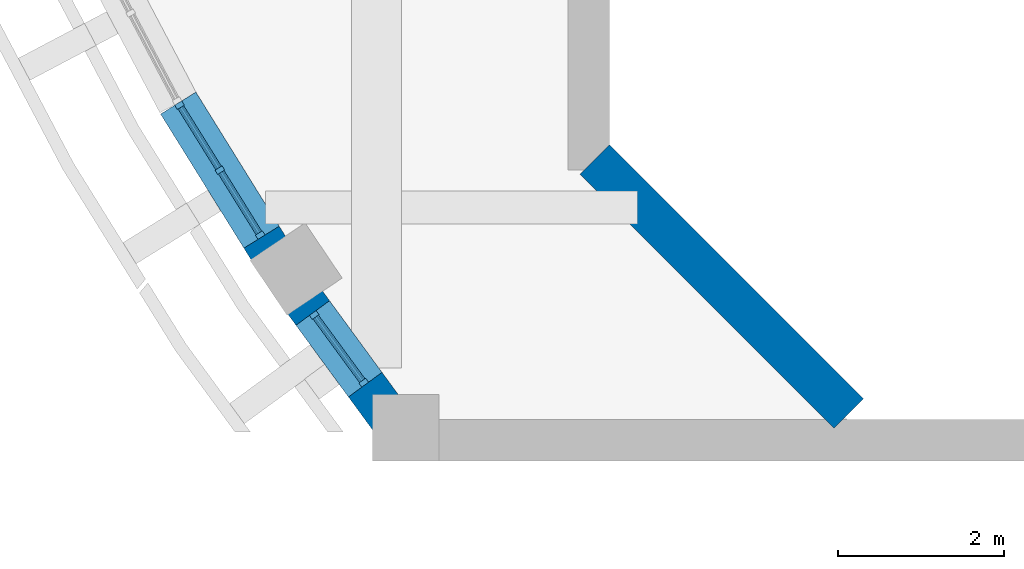
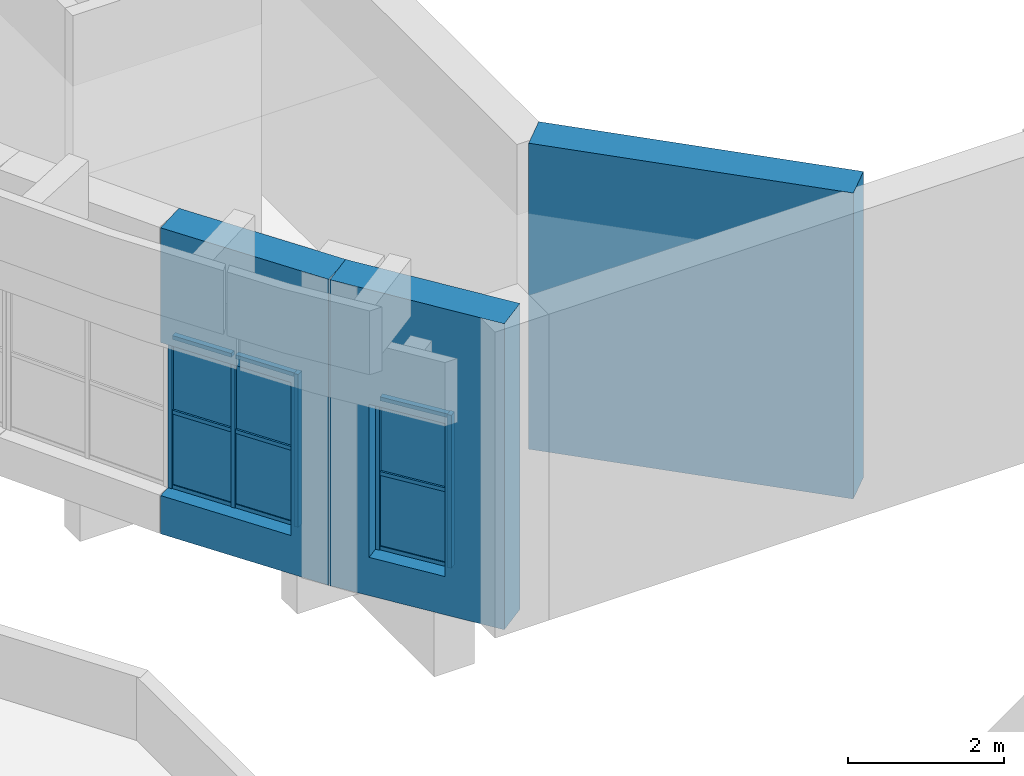
# One storey, part 12 of 79: 14 members, 6 plates, 3 walls, 2 openings, 2 elements without a shape of their own.
"""IFC4 building model written with IfcOpenShell, lengths in metres."""

from ifc_helpers import new_model, si_unit, direction, frame, frame_2d, origin, origin_2d, place, context, subcontext, project, spatial, rectangle, extrude, material, layer, layer_set, material_profile, profile_set, type_object, element, fill, aggregate, save


model = new_model("IFC4")

# Units and contexts
model_context = context("Model", 3, precision=1e-05, world=origin(), true_north=direction((0.0, 1.0)))
body_context = subcontext(model_context, "Body", "Model", "MODEL_VIEW")
ifc_project = project(units=[si_unit("LENGTHUNIT", "METRE"), si_unit("AREAUNIT", "SQUARE_METRE"), si_unit("VOLUMEUNIT", "CUBIC_METRE"), si_unit("PLANEANGLEUNIT", "RADIAN"), si_unit("MASSUNIT", "GRAM", prefix="KILO")], contexts=[model_context])

# Site, building, storey
site_placement = place(None, origin())
site = spatial("IfcSite", under=ifc_project, at=site_placement, CompositionType="ELEMENT")
building_placement = place(site_placement, origin())
building = spatial("IfcBuilding", under=site, at=building_placement, Name="Larchfold Concert Hall", CompositionType="ELEMENT")
storey_placement = place(building_placement, frame((0.0, 0.0, 14.39990234375)))
storey = spatial("IfcBuildingStorey", under=building, at=storey_placement, Name="L03", CompositionType="ELEMENT", Elevation=14.39990234375)

# Curtain wall, members
ifc_material_1 = material(Name="Anodised graphite aluminium curtain wall", Category="aluminium")
ifc_layer_1 = layer(ifc_material_1, 0.10009765625)
ifc_layer_set_1 = layer_set([ifc_layer_1], Name="Anodised graphite aluminium curtain wall")
curtain_wall_type = type_object("IfcCurtainWallType", Name="Curtain wall GB", PredefinedType="NOTDEFINED", material=ifc_layer_set_1)
curtain_wall_1_placement = place(storey_placement, origin())
curtain_wall_1 = element("IfcCurtainWall", 1, at=curtain_wall_1_placement, inside=storey, type_object=curtain_wall_type, Name="Curtain wall CW0048", PredefinedType="NOTDEFINED")
ifc_material_2 = material(Name="Anodised graphite aluminium mullion", Category="aluminium")
ifc_material_profile_1 = material_profile(ifc_material_2, rectangle(XDim=0.10009765625, YDim=0.06005859375, at=origin_2d()))
ifc_profile_set_1 = profile_set([ifc_material_profile_1], Name="Anodised graphite aluminium mullion")
member_type_1 = type_object("IfcMemberType", Name="Aluminium mullion 60x100", PredefinedType="MULLION", material=ifc_profile_set_1)
member_1_placement = place(storey_placement, frame((23.43017578125, 63.43017578125, 0.60009765625), z_axis=(0.0, 0.0, 1.0), x_axis=(0.84944736503, 0.527673359232, 0.0)))
member_1 = element("IfcMember", 2, at=member_1_placement, type_object=member_type_1, Name="CW0048 mullion 1", PredefinedType="MULLION", context=body_context, shape_type="SweptSolid", body=[
    extrude(rectangle(XDim=0.10009765625, YDim=0.06005859375, at=origin_2d()), origin(), (0.0, 0.0, 1.0), 2.39990234375),
])
member_2_placement = place(storey_placement, frame((23.915283203125, 62.649169921875, 0.60009765625), z_axis=(0.0, 0.0, 1.0), x_axis=(0.84944736503, 0.527673359232, 0.0)))
member_2 = element("IfcMember", 3, at=member_2_placement, type_object=member_type_1, Name="CW0048 mullion 2", PredefinedType="MULLION", context=body_context, shape_type="SweptSolid", body=[
    extrude(rectangle(XDim=0.10009765625, YDim=0.06005859375, at=origin_2d()), origin(), (0.0, 0.0, 1.0), 2.39990234375),
])
member_3_placement = place(storey_placement, frame((24.400146484375, 61.868408203125, 0.60009765625), z_axis=(0.0, 0.0, 1.0), x_axis=(0.84944736503, 0.527673359232, 0.0)))
member_3 = element("IfcMember", 4, at=member_3_placement, type_object=member_type_1, Name="CW0048 mullion 3", PredefinedType="MULLION", context=body_context, shape_type="SweptSolid", body=[
    extrude(rectangle(XDim=0.10009765625, YDim=0.06005859375, at=origin_2d()), origin(), (0.0, 0.0, 1.0), 2.39990234375),
])

curtain_wall_2_placement = place(storey_placement, origin())
curtain_wall_2 = element("IfcCurtainWall", 5, at=curtain_wall_2_placement, inside=storey, type_object=curtain_wall_type, Name="Curtain wall CW0049", PredefinedType="NOTDEFINED")
member_4_placement = place(storey_placement, frame((25.049560546875, 60.9072265625, 0.60009765625), z_axis=(0.0, 0.0, 1.0), x_axis=(0.806884214227, 0.590709628186, 0.0)))
member_4 = element("IfcMember", 6, at=member_4_placement, type_object=member_type_1, Name="CW0049 mullion 1", PredefinedType="MULLION", context=body_context, shape_type="SweptSolid", body=[
    extrude(rectangle(XDim=0.10009765625, YDim=0.06005859375, at=origin_2d()), origin(), (0.0, 0.0, 1.0), 2.39990234375),
])
member_5_placement = place(storey_placement, frame((25.64501953125, 60.093505859375, 0.60009765625), z_axis=(0.0, 0.0, 1.0), x_axis=(0.806884214227, 0.590709628186, 0.0)))
member_5 = element("IfcMember", 7, at=member_5_placement, type_object=member_type_1, Name="CW0049 mullion 2", PredefinedType="MULLION", context=body_context, shape_type="SweptSolid", body=[
    extrude(rectangle(XDim=0.10009765625, YDim=0.06005859375, at=origin_2d()), origin(), (0.0, 0.0, 1.0), 2.39990234375),
])

# Member
ifc_material_3 = material(Name="Anodised graphite aluminium transom", Category="aluminium")
ifc_material_profile_2 = material_profile(ifc_material_3, rectangle(XDim=0.080078125, YDim=0.06005859375, at=origin_2d()))
ifc_profile_set_2 = profile_set([ifc_material_profile_2], Name="Anodised graphite aluminium transom")
member_type_2 = type_object("IfcMemberType", Name="Aluminium transom 60x80", PredefinedType="USERDEFINED", material=ifc_profile_set_2)
member_6_placement = place(storey_placement, frame((23.446044921875, 63.404541015625, 0.630126953125), z_axis=(0.527723589582, -0.849416160076, 0.0), x_axis=(0.849416160076, 0.527723589582, 0.0)))
member_6 = element("IfcMember", 8, at=member_6_placement, type_object=member_type_2, Name="CW0048 transom 1.1", ObjectType="TRANSOM", PredefinedType="USERDEFINED", context=body_context, shape_type="SweptSolid", body=[
    extrude(rectangle(XDim=0.080078125, YDim=0.06005859375, at=origin_2d()), origin(), (0.0, 0.0, 1.0), 0.859130859375),
])

member_7_placement = place(storey_placement, frame((23.446044921875, 63.404541015625, 1.800048828125), z_axis=(0.527723589582, -0.849416160076, 0.0), x_axis=(0.849416160076, 0.527723589582, 0.0)))
member_7 = element("IfcMember", 9, at=member_7_placement, type_object=member_type_2, Name="CW0048 transom 1.2", ObjectType="TRANSOM", PredefinedType="USERDEFINED", context=body_context, shape_type="SweptSolid", body=[
    extrude(rectangle(XDim=0.080078125, YDim=0.06005859375, at=origin_2d()), origin(), (0.0, 0.0, 1.0), 0.859130859375),
])

member_8_placement = place(storey_placement, frame((23.446044921875, 63.404541015625, 2.969970703125), z_axis=(0.527723589582, -0.849416160076, 0.0), x_axis=(0.849416160076, 0.527723589582, 0.0)))
member_8 = element("IfcMember", 10, at=member_8_placement, type_object=member_type_2, Name="CW0048 transom 1.3", ObjectType="TRANSOM", PredefinedType="USERDEFINED", context=body_context, shape_type="SweptSolid", body=[
    extrude(rectangle(XDim=0.080078125, YDim=0.06005859375, at=origin_2d()), origin(), (0.0, 0.0, 1.0), 0.859130859375),
])

member_9_placement = place(storey_placement, frame((23.930908203125, 62.623779296875, 0.630126953125), z_axis=(0.527723589582, -0.849416160076, 0.0), x_axis=(0.849416160076, 0.527723589582, 0.0)))
member_9 = element("IfcMember", 11, at=member_9_placement, type_object=member_type_2, Name="CW0048 transom 2.1", ObjectType="TRANSOM", PredefinedType="USERDEFINED", context=body_context, shape_type="SweptSolid", body=[
    extrude(rectangle(XDim=0.080078125, YDim=0.06005859375, at=origin_2d()), origin(), (0.0, 0.0, 1.0), 0.859130859375),
])

member_10_placement = place(storey_placement, frame((23.930908203125, 62.623779296875, 1.800048828125), z_axis=(0.527723589582, -0.849416160076, 0.0), x_axis=(0.849416160076, 0.527723589582, 0.0)))
member_10 = element("IfcMember", 12, at=member_10_placement, type_object=member_type_2, Name="CW0048 transom 2.2", ObjectType="TRANSOM", PredefinedType="USERDEFINED", context=body_context, shape_type="SweptSolid", body=[
    extrude(rectangle(XDim=0.080078125, YDim=0.06005859375, at=origin_2d()), origin(), (0.0, 0.0, 1.0), 0.859130859375),
])

member_11_placement = place(storey_placement, frame((23.930908203125, 62.623779296875, 2.969970703125), z_axis=(0.527723589582, -0.849416160076, 0.0), x_axis=(0.849416160076, 0.527723589582, 0.0)))
member_11 = element("IfcMember", 13, at=member_11_placement, type_object=member_type_2, Name="CW0048 transom 2.3", ObjectType="TRANSOM", PredefinedType="USERDEFINED", context=body_context, shape_type="SweptSolid", body=[
    extrude(rectangle(XDim=0.080078125, YDim=0.06005859375, at=origin_2d()), origin(), (0.0, 0.0, 1.0), 0.859130859375),
])

member_12_placement = place(storey_placement, frame((25.067138671875, 60.883056640625, 0.630126953125), z_axis=(0.590693966493, -0.806895679719, 0.0), x_axis=(0.806895679719, 0.590693966493, 0.0)))
member_12 = element("IfcMember", 14, at=member_12_placement, type_object=member_type_2, Name="CW0049 transom 1.1", ObjectType="TRANSOM", PredefinedType="USERDEFINED", context=body_context, shape_type="SweptSolid", body=[
    extrude(rectangle(XDim=0.080078125, YDim=0.06005859375, at=origin_2d()), origin(), (0.0, 0.0, 1.0), 0.948486328125),
])

member_13_placement = place(storey_placement, frame((25.067138671875, 60.883056640625, 1.800048828125), z_axis=(0.590693966493, -0.806895679719, 0.0), x_axis=(0.806895679719, 0.590693966493, 0.0)))
member_13 = element("IfcMember", 15, at=member_13_placement, type_object=member_type_2, Name="CW0049 transom 1.2", ObjectType="TRANSOM", PredefinedType="USERDEFINED", context=body_context, shape_type="SweptSolid", body=[
    extrude(rectangle(XDim=0.080078125, YDim=0.06005859375, at=origin_2d()), origin(), (0.0, 0.0, 1.0), 0.948486328125),
])

member_14_placement = place(storey_placement, frame((25.067138671875, 60.883056640625, 2.969970703125), z_axis=(0.590693966493, -0.806895679719, 0.0), x_axis=(0.806895679719, 0.590693966493, 0.0)))
member_14 = element("IfcMember", 16, at=member_14_placement, type_object=member_type_2, Name="CW0049 transom 1.3", ObjectType="TRANSOM", PredefinedType="USERDEFINED", context=body_context, shape_type="SweptSolid", body=[
    extrude(rectangle(XDim=0.080078125, YDim=0.06005859375, at=origin_2d()), origin(), (0.0, 0.0, 1.0), 0.948486328125),
])

# Plate
ifc_material_4 = material(Name="Insulated glazing unit, glass", Category="glass")
ifc_layer_2 = layer(ifc_material_4, 0.02392578125)
ifc_layer_set_2 = layer_set([ifc_layer_2], Name="Insulated glazing unit, glass")
plate_type_1 = type_object("IfcPlateType", Name="Glass panel 24", PredefinedType="CURTAIN_PANEL", material=ifc_layer_set_2)
plate_1_placement = place(storey_placement, frame((23.672607421875, 63.039794921875, 1.830078125), z_axis=(0.0, 0.0, 1.0), x_axis=(0.527673359232, -0.84944736503, 0.0)))
plate_1 = element("IfcPlate", 17, at=plate_1_placement, type_object=plate_type_1, Name="CW0048 panel 1.2", PredefinedType="CURTAIN_PANEL", context=body_context, shape_type="SweptSolid", body=[
    extrude(rectangle(XDim=0.859130859375, YDim=0.02392578125, at=origin_2d()), origin(), (0.0, 0.0, 1.0), 1.10986328125),
])

plate_2_placement = place(storey_placement, frame((24.15771484375, 62.2587890625, 1.830078125), z_axis=(0.0, 0.0, 1.0), x_axis=(0.527673359232, -0.84944736503, 0.0)))
plate_2 = element("IfcPlate", 18, at=plate_2_placement, type_object=plate_type_1, Name="CW0048 panel 2.2", PredefinedType="CURTAIN_PANEL", context=body_context, shape_type="SweptSolid", body=[
    extrude(rectangle(XDim=0.859130859375, YDim=0.02392578125, at=origin_2d()), origin(), (0.0, 0.0, 1.0), 1.10986328125),
])

plate_3_placement = place(storey_placement, frame((25.34716796875, 60.50048828125, 1.830078125), z_axis=(0.0, 0.0, 1.0), x_axis=(0.590709628186, -0.806884214227, 0.0)))
plate_3 = element("IfcPlate", 19, at=plate_3_placement, type_object=plate_type_1, Name="CW0049 panel 1.2", PredefinedType="CURTAIN_PANEL", context=body_context, shape_type="SweptSolid", body=[
    extrude(rectangle(XDim=0.948486328125, YDim=0.02392578125, at=origin_2d()), origin(), (0.0, 0.0, 1.0), 1.10986328125),
])

ifc_material_5 = material(Name="White insulated panel")
ifc_layer_3 = layer(ifc_material_5, 0.050048828125)
ifc_layer_set_3 = layer_set([ifc_layer_3], Name="White insulated panel")
plate_type_2 = type_object("IfcPlateType", Name="Insulated spandrel panel 50", PredefinedType="CURTAIN_PANEL", material=ifc_layer_set_3)
plate_4_placement = place(storey_placement, frame((23.672607421875, 63.039794921875, 0.66015625), z_axis=(0.0, 0.0, 1.0), x_axis=(0.527673359232, -0.84944736503, 0.0)))
plate_4 = element("IfcPlate", 20, at=plate_4_placement, type_object=plate_type_2, Name="CW0048 panel 1.1", PredefinedType="CURTAIN_PANEL", context=body_context, shape_type="SweptSolid", body=[
    extrude(rectangle(XDim=0.859130859375, YDim=0.050048828125, at=origin_2d()), origin(), (0.0, 0.0, 1.0), 1.10986328125),
])

plate_5_placement = place(storey_placement, frame((24.15771484375, 62.2587890625, 0.66015625), z_axis=(0.0, 0.0, 1.0), x_axis=(0.527673359232, -0.84944736503, 0.0)))
plate_5 = element("IfcPlate", 21, at=plate_5_placement, type_object=plate_type_2, Name="CW0048 panel 2.1", PredefinedType="CURTAIN_PANEL", context=body_context, shape_type="SweptSolid", body=[
    extrude(rectangle(XDim=0.859130859375, YDim=0.050048828125, at=origin_2d()), origin(), (0.0, 0.0, 1.0), 1.10986328125),
])

aggregate(curtain_wall_1, [member_1, member_2, member_3, member_6, member_7, member_8, plate_4, plate_1, member_9, member_10, member_11, plate_5, plate_2])

plate_6_placement = place(storey_placement, frame((25.34716796875, 60.50048828125, 0.66015625), z_axis=(0.0, 0.0, 1.0), x_axis=(0.590709628186, -0.806884214227, 0.0)))
plate_6 = element("IfcPlate", 22, at=plate_6_placement, type_object=plate_type_2, Name="CW0049 panel 1.1", PredefinedType="CURTAIN_PANEL", context=body_context, shape_type="SweptSolid", body=[
    extrude(rectangle(XDim=0.948486328125, YDim=0.050048828125, at=origin_2d()), origin(), (0.0, 0.0, 1.0), 1.10986328125),
])

aggregate(curtain_wall_2, [member_4, member_5, member_12, member_13, member_14, plate_6, plate_3])

# Wall, opening
ifc_material_6 = material(Name="Concrete C30/37", Category="concrete")
ifc_layer_4 = layer(ifc_material_6, 0.5)
ifc_layer_set_4 = layer_set([ifc_layer_4], Name="Concrete C30/37")
wall_type_1 = type_object("IfcWallType", Name="Wall RC 500 drum facade", PredefinedType="SOLIDWALL", material=ifc_layer_set_4)
wall_1_placement = place(storey_placement, frame((23.414306640625, 63.45556640625, 0.0), z_axis=(0.0, 0.0, 1.0), x_axis=(0.527702820527, -0.849429063082, 0.0)))
wall_1 = element("IfcWall", 23, at=wall_1_placement, inside=storey, type_object=wall_type_1, Name="Wall DW048", PredefinedType="SOLIDWALL", context=body_context, shape_type="SweptSolid", body=[
    extrude(rectangle(XDim=2.44873046875, YDim=0.5, at=frame_2d((1.224365234375, 0.0))), origin(), (0.0, 0.0, 1.0), 4.800048828125),
])
opening_1_placement = place(wall_1_placement, frame((0.0, 0.0, 0.60009765625)))
opening_1 = element("IfcOpeningElement", 24, at=opening_1_placement, cuts=wall_1, Name="Opening CW0048", PredefinedType="OPENING", context=body_context, shape_type="SweptSolid", body=[
    extrude(rectangle(XDim=1.8984375, YDim=2.39990234375, at=frame_2d((0.94921875, 1.199951171875))), frame((0.0, 0.260009765625, 0.0), z_axis=(0.0, -1.0, 0.0), x_axis=(1.0, 0.0, 0.0)), (0.0, 0.0, 1.0), 0.52001953125),
])

fill(opening_1, curtain_wall_1)

wall_2_placement = place(storey_placement, frame((24.70654296875, 61.37548828125, 0.0), z_axis=(0.0, 0.0, 1.0), x_axis=(0.590771306399, -0.806839056774, 0.0)))
wall_2 = element("IfcWall", 25, at=wall_2_placement, inside=storey, type_object=wall_type_1, Name="Wall DW049", PredefinedType="SOLIDWALL", context=body_context, shape_type="SweptSolid", body=[
    extrude(rectangle(XDim=2.448486328125, YDim=0.5, at=frame_2d((1.22412109375, 0.0))), origin(), (0.0, 0.0, 1.0), 4.800048828125),
])
opening_2_placement = place(wall_2_placement, frame((0.550537109375, 0.0, 0.60009765625)))
opening_2 = element("IfcOpeningElement", 26, at=opening_2_placement, cuts=wall_2, Name="Opening CW0049", PredefinedType="OPENING", context=body_context, shape_type="SweptSolid", body=[
    extrude(rectangle(XDim=1.068359375, YDim=2.39990234375, at=frame_2d((0.5341796875, 1.199951171875))), frame((0.0, 0.260009765625, 0.0), z_axis=(0.0, -1.0, 0.0), x_axis=(1.0, 0.0, 0.0)), (0.0, 0.0, 1.0), 0.52001953125),
])

fill(opening_2, curtain_wall_2)

# Wall
ifc_material_7 = material(Name="Concrete C40/50", Category="concrete")
ifc_layer_5 = layer(ifc_material_7, 0.5)
ifc_layer_set_5 = layer_set([ifc_layer_5], Name="Concrete C40/50")
wall_type_2 = type_object("IfcWallType", Name="Wall RC 500 hall shell", PredefinedType="SOLIDWALL", material=ifc_layer_set_5)
wall_3_placement = place(storey_placement, frame((28.4228515625, 62.777099609375, 0.0), z_axis=(0.0, 0.0, 1.0), x_axis=(0.707106781187, -0.707106781187, 0.0)))
element("IfcWall", 27, at=wall_3_placement, inside=storey, type_object=wall_type_2, Name="Wall W0007", PredefinedType="SOLIDWALL", context=body_context, shape_type="SweptSolid", body=[
    extrude(rectangle(XDim=4.319580078125, YDim=0.5, at=frame_2d((2.15966796875, 0.0))), origin(), (0.0, 0.0, 1.0), 4.800048828125),
])

save(model, "model.ifc")
